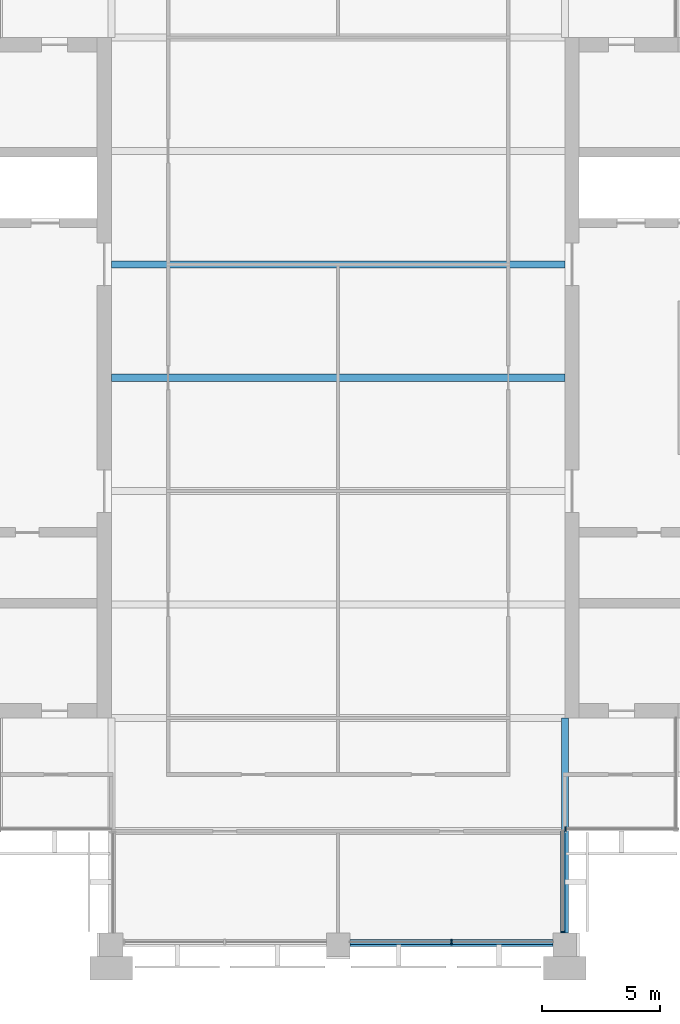
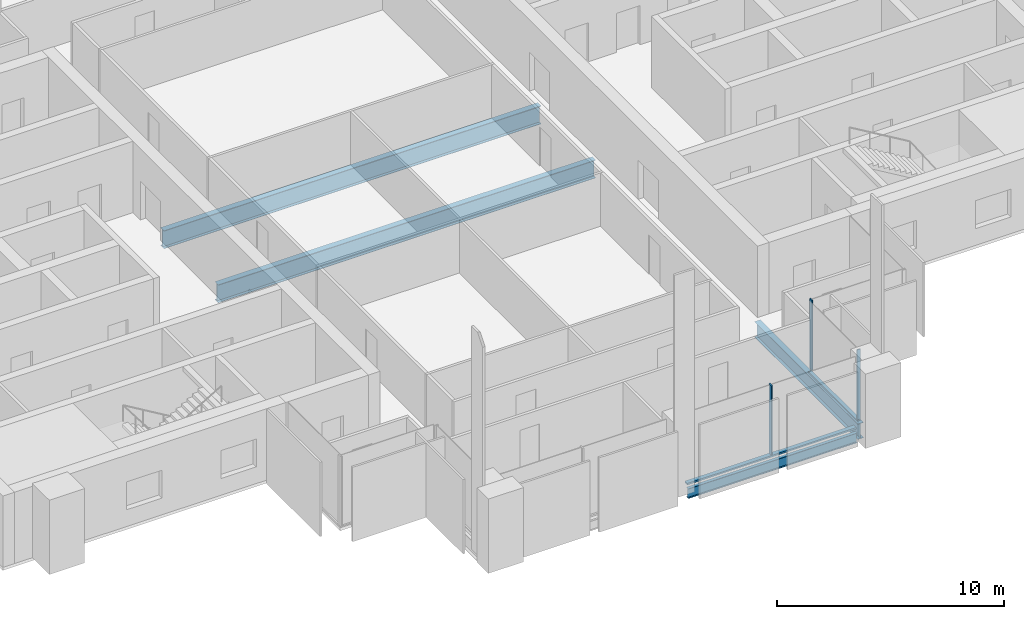
# One storey, part 3 of 13: 5 members, 4 beams, 3 elements without a shape of their own.
"""IFC4 building model written with IfcOpenShell, lengths in metres."""

from ifc_helpers import new_model, si_unit, direction, frame, origin, origin_2d, place, context, subcontext, project, spatial, rectangle, i_section, extrude, material, material_profile, profile_set, type_object, element, aggregate, save


model = new_model("IFC4")

# Units and contexts
model_context = context("Model", 3, precision=1e-05, world=origin(), true_north=direction((0.0, 1.0)))
body_context = subcontext(model_context, "Body", "Model", "MODEL_VIEW")
ifc_project = project(units=[si_unit("LENGTHUNIT", "METRE"), si_unit("AREAUNIT", "SQUARE_METRE"), si_unit("VOLUMEUNIT", "CUBIC_METRE"), si_unit("PLANEANGLEUNIT", "RADIAN"), si_unit("MASSUNIT", "GRAM", prefix="KILO")], contexts=[model_context])

# Site, building, storey
site_placement = place(None, origin())
site = spatial("IfcSite", under=ifc_project, at=site_placement, CompositionType="ELEMENT")
building_placement = place(site_placement, origin())
building = spatial("IfcBuilding", under=site, at=building_placement, Name="Baori Bourse Tower", CompositionType="ELEMENT")
storey_placement = place(building_placement, frame((0.0, 0.0, 294.300048828125)))
storey = spatial("IfcBuildingStorey", under=building, at=storey_placement, Name="L64", CompositionType="ELEMENT", Elevation=294.300048828125)

# Curtain wall, member
ifc_material_1 = material(Name="Pale anodised aluminium", Category="aluminium")
curtain_wall_type_1 = type_object("IfcCurtainWallType", Name="CW2 Curtain wall", PredefinedType="NOTDEFINED", material=ifc_material_1)
curtain_wall_1_placement = place(storey_placement, origin())
curtain_wall_1 = element("IfcCurtainWall", 1, at=curtain_wall_1_placement, inside=storey, type_object=curtain_wall_type_1, Name="Curtain wall CW2 L64 12", PredefinedType="NOTDEFINED")
ifc_material_2 = material(Name="Pale anodised aluminium", Category="aluminium")
ifc_material_profile_1 = material_profile(ifc_material_2, rectangle(XDim=0.179931640625, YDim=0.054931640625, at=origin_2d()), Name="Mullion 55x180")
ifc_profile_set_1 = profile_set([ifc_material_profile_1], Name="Pale anodised aluminium")
member_type_1 = type_object("IfcMemberType", Name="CW2 Curtain wall mullion", PredefinedType="MULLION", material=ifc_profile_set_1)
member_1_placement = place(storey_placement, frame((38.31005859375, 0.527587890625, 0.070068359375), z_axis=(0.0, 0.0, 1.0), x_axis=(-1.0, 0.0, 0.0)))
member_1 = element("IfcMember", 2, at=member_1_placement, type_object=member_type_1, Name="Curtain wall CW2 mullion", PredefinedType="MULLION", context=body_context, shape_type="SweptSolid", body=[
    extrude(rectangle(XDim=0.179931640625, YDim=0.054931640625, at=origin_2d()), origin(), (0.0, 0.0, 1.0), 3.769775390625),
])

curtain_wall_2_placement = place(storey_placement, origin())
curtain_wall_2 = element("IfcCurtainWall", 3, at=curtain_wall_2_placement, inside=storey, type_object=curtain_wall_type_1, Name="Curtain wall CW2 L64 13", PredefinedType="NOTDEFINED")
member_2_placement = place(storey_placement, frame((38.427490234375, 4.889892578125, 0.070068359375), z_axis=(0.0, 0.0, 1.0), x_axis=(0.0, 1.0, 0.0)))
member_2 = element("IfcMember", 4, at=member_2_placement, type_object=member_type_1, Name="Curtain wall CW2 mullion", PredefinedType="MULLION", context=body_context, shape_type="SweptSolid", body=[
    extrude(rectangle(XDim=0.179931640625, YDim=0.054931640625, at=origin_2d()), origin(), (0.0, 0.0, 1.0), 3.769775390625),
])
aggregate(curtain_wall_2, [member_2])

# Member
ifc_material_3 = material(Name="Pale anodised aluminium", Category="aluminium")
ifc_material_profile_2 = material_profile(ifc_material_3, rectangle(XDim=0.179931640625, YDim=0.070068359375, at=origin_2d()), Name="Transom 70x180")
ifc_profile_set_2 = profile_set([ifc_material_profile_2], Name="Pale anodised aluminium")
member_type_2 = type_object("IfcMemberType", Name="CW2 Curtain wall transom", PredefinedType="USERDEFINED", material=ifc_profile_set_2)
member_3_placement = place(storey_placement, frame((38.31005859375, 0.5, 0.034912109375), z_axis=(0.0, 1.0, 0.0), x_axis=(-1.0, 0.0, 0.0)))
member_3 = element("IfcMember", 5, at=member_3_placement, type_object=member_type_2, Name="Curtain wall CW2 sill rail", ObjectType="TRANSOM", PredefinedType="USERDEFINED", context=body_context, shape_type="SweptSolid", body=[
    extrude(rectangle(XDim=0.179931640625, YDim=0.070068359375, at=origin_2d()), origin(), (0.0, 0.0, 1.0), 4.300048828125),
])

aggregate(curtain_wall_1, [member_3, member_1])

# Curtain wall, members
ifc_material_4 = material(Name="Pale anodised aluminium", Category="aluminium")
curtain_wall_type_2 = type_object("IfcCurtainWallType", Name="CW5 Curtain wall", PredefinedType="NOTDEFINED", material=ifc_material_4)
curtain_wall_3_placement = place(storey_placement, origin())
curtain_wall_3 = element("IfcCurtainWall", 6, at=curtain_wall_3_placement, inside=storey, type_object=curtain_wall_type_2, Name="Curtain wall CW5 L64 11", PredefinedType="NOTDEFINED")
ifc_material_5 = material(Name="Pale anodised aluminium", Category="aluminium")
ifc_material_profile_3 = material_profile(ifc_material_5, rectangle(XDim=0.219970703125, YDim=0.06494140625, at=origin_2d()), Name="Mullion 65x220")
ifc_profile_set_3 = profile_set([ifc_material_profile_3], Name="Pale anodised aluminium")
member_type_3 = type_object("IfcMemberType", Name="CW5 Curtain wall mullion", PredefinedType="MULLION", material=ifc_profile_set_3)
member_4_placement = place(storey_placement, frame((33.60009765625, 0.110107421875, 0.0849609375), z_axis=(0.0, 0.0, 1.0), x_axis=(0.0, 1.0, 0.0)))
member_4 = element("IfcMember", 7, at=member_4_placement, type_object=member_type_3, Name="Curtain wall CW5 mullion", PredefinedType="MULLION", context=body_context, shape_type="SweptSolid", body=[
    extrude(rectangle(XDim=0.219970703125, YDim=0.06494140625, at=origin_2d()), origin(), (0.0, 0.0, 1.0), 3.7548828125),
])
ifc_material_6 = material(Name="Pale anodised aluminium", Category="aluminium")
ifc_material_profile_4 = material_profile(ifc_material_6, rectangle(XDim=0.219970703125, YDim=0.0849609375, at=origin_2d()), Name="Transom 85x220")
ifc_profile_set_4 = profile_set([ifc_material_profile_4], Name="Pale anodised aluminium")
member_type_4 = type_object("IfcMemberType", Name="CW5 Curtain wall transom", PredefinedType="USERDEFINED", material=ifc_profile_set_4)
member_5_placement = place(storey_placement, frame((29.300048828125, 0.110107421875, 0.04248046875), z_axis=(1.0, 0.0, 0.0), x_axis=(0.0, 1.0, 0.0)))
member_5 = element("IfcMember", 8, at=member_5_placement, type_object=member_type_4, Name="Curtain wall CW5 sill rail", ObjectType="TRANSOM", PredefinedType="USERDEFINED", context=body_context, shape_type="SweptSolid", body=[
    extrude(rectangle(XDim=0.219970703125, YDim=0.0849609375, at=origin_2d()), origin(), (0.0, 0.0, 1.0), 8.599853515625),
])
aggregate(curtain_wall_3, [member_5, member_4])

# Beams
ifc_material_7 = material(Name="Steel A992 Gr 50", Category="steel")
ifc_material_profile_5 = material_profile(ifc_material_7, i_section(OverallWidth=0.1650390625, OverallDepth=0.52587890625, WebThickness=0.0087890625, FlangeThickness=0.011474609375, at=origin_2d()), Name="W21x44")
ifc_profile_set_5 = profile_set([ifc_material_profile_5], Name="Steel A992 Gr 50")
beam_type_1 = type_object("IfcBeamType", Name="Edge beam W21x44", PredefinedType="BEAM", material=ifc_profile_set_5)
beam_1_placement = place(storey_placement, frame((29.300048828125, 0.0, -0.4228515625), z_axis=(1.0, 0.0, 0.0), x_axis=(0.0, 1.0, 0.0)))
element("IfcBeam", 9, at=beam_1_placement, inside=storey, type_object=beam_type_1, Name="Edge beam L64", PredefinedType="BEAM", context=body_context, shape_type="SweptSolid", body=[
    extrude(i_section(OverallWidth=0.1650390625, OverallDepth=0.52587890625, WebThickness=0.0087890625, FlangeThickness=0.011474609375, at=origin_2d()), origin(), (0.0, 0.0, 1.0), 8.599853515625),
])
ifc_material_8 = material(Name="Steel A992 Gr 50", Category="steel")
ifc_material_profile_6 = material_profile(ifc_material_8, i_section(OverallWidth=0.2998046875, OverallDepth=0.97021484375, WebThickness=0.01611328125, FlangeThickness=0.02099609375, at=origin_2d()), Name="W40x149")
ifc_profile_set_6 = profile_set([ifc_material_profile_6], Name="Steel A992 Gr 50")
beam_type_2 = type_object("IfcBeamType", Name="Floor beam W40x149", PredefinedType="BEAM", material=ifc_profile_set_6)
for number, where, z_axis, x_axis, name in (
    (10, (19.199951171875, 24.0, -0.645263671875), (1.0, 0.0, 0.0), (0.0, 1.0, 0.0), "Floor beam L64"),
    (11, (19.199951171875, 28.800048828125, -0.645263671875), (1.0, 0.0, 0.0), (0.0, 1.0, 0.0), "Floor beam L64"),
):
    element("IfcBeam", number, at=place(storey_placement, frame(where, z_axis=z_axis, x_axis=x_axis)), inside=storey, type_object=beam_type_2, Name=name, PredefinedType="BEAM", context=body_context, shape_type="SweptSolid", body=[
        extrude(i_section(OverallWidth=0.2998046875, OverallDepth=0.97021484375, WebThickness=0.01611328125, FlangeThickness=0.02099609375, at=origin_2d()), origin(), (0.0, 0.0, 1.0), 19.199951171875),
    ])
ifc_material_9 = material(Name="Steel A992 Gr 50", Category="steel")
ifc_material_profile_7 = material_profile(ifc_material_9, i_section(OverallWidth=0.2919921875, OverallDepth=0.835693359375, WebThickness=0.013916015625, FlangeThickness=0.018798828125, at=origin_2d()), Name="W33x118")
ifc_profile_set_7 = profile_set([ifc_material_profile_7], Name="Steel A992 Gr 50")
beam_type_3 = type_object("IfcBeamType", Name="Girder W33x118", PredefinedType="BEAM", material=ifc_profile_set_7)
beam_2_placement = place(storey_placement, frame((38.39990234375, 0.5, -0.577880859375), z_axis=(0.0, 1.0, 0.0), x_axis=(-1.0, 0.0, 0.0)))
element("IfcBeam", 12, at=beam_2_placement, inside=storey, type_object=beam_type_3, Name="Girder L64", PredefinedType="BEAM", context=body_context, shape_type="SweptSolid", body=[
    extrude(i_section(OverallWidth=0.2919921875, OverallDepth=0.835693359375, WebThickness=0.013916015625, FlangeThickness=0.018798828125, at=origin_2d()), origin(), (0.0, 0.0, 1.0), 9.10009765625),
])

save(model, "model.ifc")
